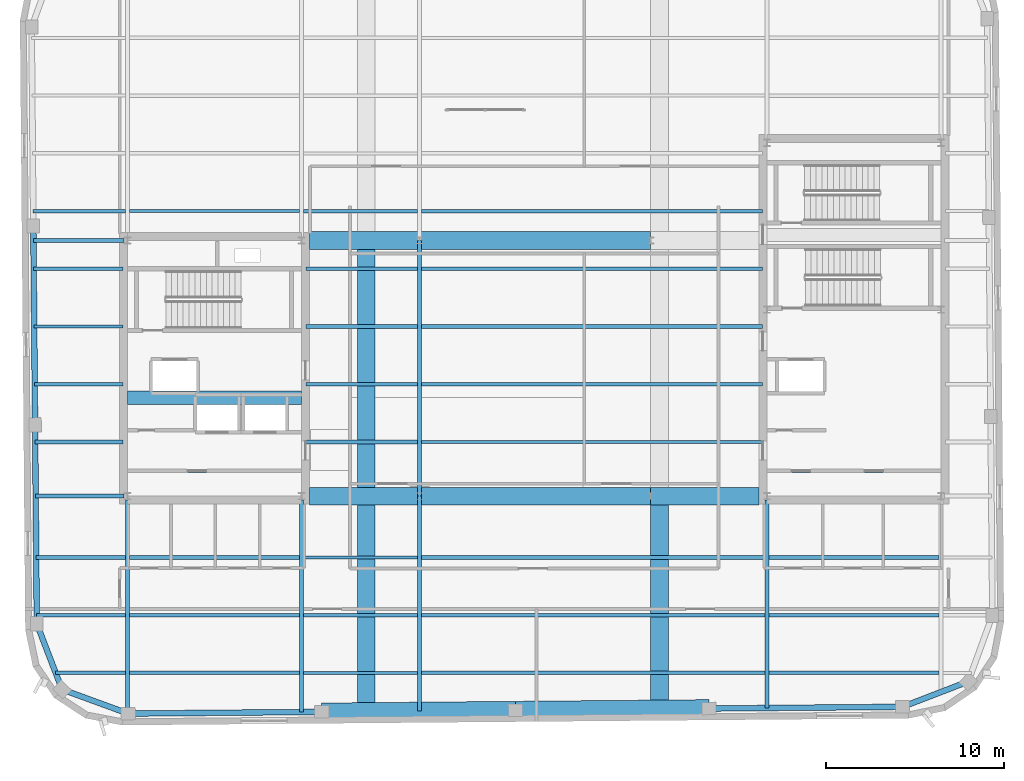
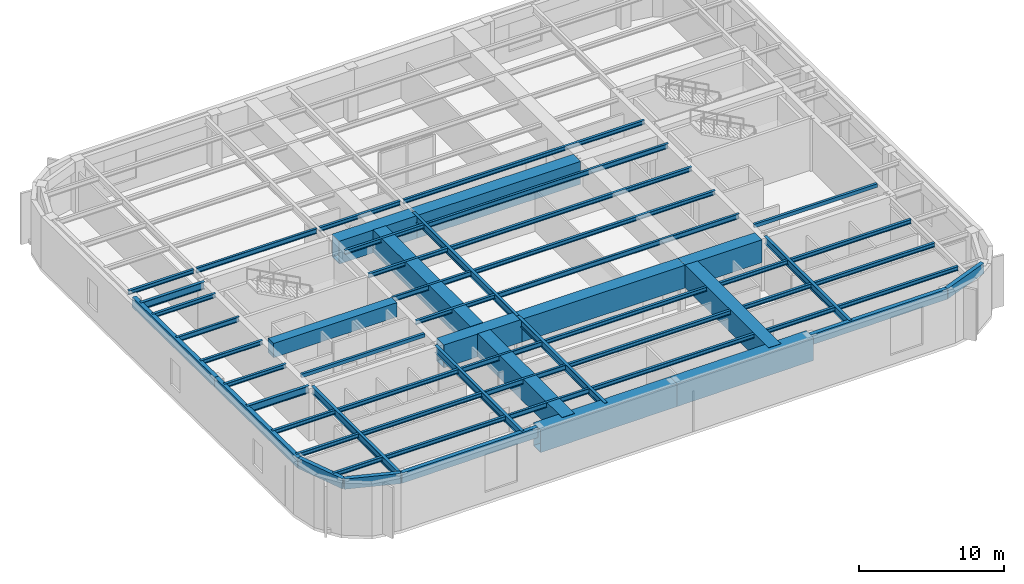
# One storey, part 4 of 14: 58 beams.
"""IFC4 building model written with IfcOpenShell, lengths in metres."""

from ifc_helpers import new_model, si_unit, direction, frame, origin, origin_2d, place, context, subcontext, project, spatial, rectangle, hollow_rectangle, i_section, extrude, material, material_profile, profile_set, type_object, element, save


model = new_model("IFC4")

# Units and contexts
model_context = context("Model", 3, precision=1e-05, world=origin(), true_north=direction((0.0, 1.0)))
body_context = subcontext(model_context, "Body", "Model", "MODEL_VIEW")
ifc_project = project(units=[si_unit("LENGTHUNIT", "METRE"), si_unit("AREAUNIT", "SQUARE_METRE"), si_unit("VOLUMEUNIT", "CUBIC_METRE"), si_unit("PLANEANGLEUNIT", "RADIAN"), si_unit("MASSUNIT", "GRAM", prefix="KILO")], contexts=[model_context])

# Site, building, storey
site_placement = place(None, origin())
site = spatial("IfcSite", under=ifc_project, at=site_placement, CompositionType="ELEMENT")
building_placement = place(site_placement, origin())
building = spatial("IfcBuilding", under=site, at=building_placement, Name="Kolvaren Arena Tower", CompositionType="ELEMENT")
storey_placement = place(building_placement, frame((0.0, 0.0, 317.199951171875)))
storey = spatial("IfcBuildingStorey", under=building, at=storey_placement, Name="L78", CompositionType="ELEMENT", Elevation=317.199951171875)

# Beams
ifc_material_1 = material(Name="Steel CSA G40.21 350W", Category="steel")
ifc_material_profile_1 = material_profile(ifc_material_1, i_section(OverallWidth=0.180908203125, OverallDepth=0.4169921875, WebThickness=0.010986328125, FlangeThickness=0.018310546875, FilletRadius=0.011962890625, at=origin_2d()), Name="W410x85")
ifc_profile_set_1 = profile_set([ifc_material_profile_1], Name="Steel CSA G40.21 350W")
beam_type_1 = type_object("IfcBeamType", Name="BEAM-F3", PredefinedType="BEAM", material=ifc_profile_set_1)
for number, where, z_axis, x_axis, name in (
    (1, (24.464111328125, 9.5, 4.171630859375), (1.0, 0.0, 0.0), (0.0, 1.0, 0.0), "Composite Floor Beam (L78)"),
    (2, (24.464111328125, 12.75, 4.171630859375), (1.0, 0.0, 0.0), (0.0, 1.0, 0.0), "Composite Floor Beam (L78)"),
    (3, (24.464111328125, 16.0, 4.171630859375), (1.0, 0.0, 0.0), (0.0, 1.0, 0.0), "Composite Floor Beam (L78)"),
):
    element("IfcBeam", number, at=place(storey_placement, frame(where, z_axis=z_axis, x_axis=x_axis)), inside=storey, type_object=beam_type_1, Name=name, PredefinedType="BEAM", context=body_context, shape_type="SweptSolid", body=[
        extrude(i_section(OverallWidth=0.180908203125, OverallDepth=0.4169921875, WebThickness=0.010986328125, FlangeThickness=0.018310546875, FilletRadius=0.011962890625, at=origin_2d()), origin(), (0.0, 0.0, 1.0), 6.421875),
    ])
beam_1_placement = place(storey_placement, frame((31.114013671875, 22.5, 4.171630859375), z_axis=(1.0, 0.0, 0.0), x_axis=(0.0, 1.0, 0.0)))
element("IfcBeam", 4, at=beam_1_placement, inside=storey, type_object=beam_type_1, Name="Composite Floor Beam (L78)", PredefinedType="BEAM", context=body_context, shape_type="SweptSolid", body=[
    extrude(i_section(OverallWidth=0.180908203125, OverallDepth=0.4169921875, WebThickness=0.010986328125, FlangeThickness=0.018310546875, FilletRadius=0.011962890625, at=origin_2d()), origin(), (0.0, 0.0, 1.0), 19.19091796875),
])
beam_2_placement = place(storey_placement, frame((24.594970703125, 25.75, 4.171630859375), z_axis=(1.0, 0.0, 0.0), x_axis=(0.0, 1.0, 0.0)))
element("IfcBeam", 5, at=beam_2_placement, inside=storey, type_object=beam_type_1, Name="Composite Floor Beam (L78)", PredefinedType="BEAM", context=body_context, shape_type="SweptSolid", body=[
    extrude(i_section(OverallWidth=0.180908203125, OverallDepth=0.4169921875, WebThickness=0.010986328125, FlangeThickness=0.018310546875, FilletRadius=0.011962890625, at=origin_2d()), origin(), (0.0, 0.0, 1.0), 6.291015625),
])
beam_3_placement = place(storey_placement, frame((9.301513671875, 29.0, 4.171630859375), z_axis=(1.0, 0.0, 0.0), x_axis=(0.0, 1.0, 0.0)))
element("IfcBeam", 6, at=beam_3_placement, inside=storey, type_object=beam_type_1, Name="Composite Floor Beam (L78)", PredefinedType="BEAM", context=body_context, shape_type="SweptSolid", body=[
    extrude(i_section(OverallWidth=0.180908203125, OverallDepth=0.4169921875, WebThickness=0.010986328125, FlangeThickness=0.018310546875, FilletRadius=0.011962890625, at=origin_2d()), origin(), (0.0, 0.0, 1.0), 5.00341796875),
])
beam_4_placement = place(storey_placement, frame((31.114013671875, 32.25, 4.171630859375), z_axis=(1.0, 0.0, 0.0), x_axis=(0.0, 1.0, 0.0)))
element("IfcBeam", 7, at=beam_4_placement, inside=storey, type_object=beam_type_1, Name="Composite Floor Beam (L78)", PredefinedType="BEAM", context=body_context, shape_type="SweptSolid", body=[
    extrude(i_section(OverallWidth=0.180908203125, OverallDepth=0.4169921875, WebThickness=0.010986328125, FlangeThickness=0.018310546875, FilletRadius=0.011962890625, at=origin_2d()), origin(), (0.0, 0.0, 1.0), 19.19091796875),
])
beam_5_placement = place(storey_placement, frame((14.6640625, 35.5, 4.171630859375), z_axis=(1.0, 0.0, 0.0), x_axis=(0.0, 1.0, 0.0)))
element("IfcBeam", 8, at=beam_5_placement, inside=storey, type_object=beam_type_1, Name="Composite Floor Beam (L78)", PredefinedType="BEAM", context=body_context, shape_type="SweptSolid", body=[
    extrude(i_section(OverallWidth=0.180908203125, OverallDepth=0.4169921875, WebThickness=0.010986328125, FlangeThickness=0.018310546875, FilletRadius=0.011962890625, at=origin_2d()), origin(), (0.0, 0.0, 1.0), 9.572021484375),
])
ifc_material_2 = material(Name="Concrete 60 MPa", Category="concrete")
ifc_material_profile_2 = material_profile(ifc_material_2, rectangle(XDim=0.75, YDim=1.199951171875, at=origin_2d()), Name="RC-750x1200")
ifc_profile_set_2 = profile_set([ifc_material_profile_2], Name="Concrete 60 MPa")
beam_type_2 = type_object("IfcBeamType", Name="CB-CORE-2", PredefinedType="BEAM", material=ifc_profile_set_2)
beam_6_placement = place(storey_placement, frame((14.550048828125, 25.0, 4.050048828125), z_axis=(1.0, 0.0, 0.0), x_axis=(0.0, 1.0, 0.0)))
element("IfcBeam", 9, at=beam_6_placement, inside=storey, type_object=beam_type_2, Name="West Core Coupling Beam (L78)", PredefinedType="BEAM", context=body_context, shape_type="SweptSolid", body=[
    extrude(rectangle(XDim=0.75, YDim=1.199951171875, at=origin_2d()), origin(), (0.0, 0.0, 1.0), 9.800048828125),
])
ifc_material_profile_3 = material_profile(ifc_material_1, i_section(OverallWidth=0.22802734375, OverallDepth=0.615966796875, WebThickness=0.013916015625, FlangeThickness=0.02490234375, FilletRadius=0.014892578125, at=origin_2d()), Name="W610x174")
ifc_profile_set_3 = profile_set([ifc_material_profile_3], Name="Steel CSA G40.21 350W")
beam_type_3 = type_object("IfcBeamType", Name="GIRD-T3", PredefinedType="BEAM", material=ifc_profile_set_3)
beam_7_placement = place(storey_placement, frame((9.385009765625, 19.449951171875, 4.072021484375), z_axis=(1.0, 0.0, 0.0), x_axis=(0.0, 1.0, 0.0)))
element("IfcBeam", 10, at=beam_7_placement, inside=storey, type_object=beam_type_3, Name="Primary Floor Girder (L78)", PredefinedType="BEAM", context=body_context, shape_type="SweptSolid", body=[
    extrude(i_section(OverallWidth=0.22802734375, OverallDepth=0.615966796875, WebThickness=0.013916015625, FlangeThickness=0.02490234375, FilletRadius=0.014892578125, at=origin_2d()), origin(), (0.0, 0.0, 1.0), 4.9599609375),
])
beam_8_placement = place(storey_placement, frame((9.25927734375, 33.85009765625, 4.072021484375), z_axis=(1.0, 0.0, 0.0), x_axis=(0.0, 1.0, 0.0)))
element("IfcBeam", 11, at=beam_8_placement, inside=storey, type_object=beam_type_3, Name="Primary Floor Girder (L78)", PredefinedType="BEAM", context=body_context, shape_type="SweptSolid", body=[
    extrude(i_section(OverallWidth=0.22802734375, OverallDepth=0.615966796875, WebThickness=0.013916015625, FlangeThickness=0.02490234375, FilletRadius=0.014892578125, at=origin_2d()), origin(), (0.0, 0.0, 1.0), 5.085693359375),
])
beam_9_placement = place(storey_placement, frame((14.550048828125, 7.225830078125, 4.072021484375), z_axis=(0.0, 1.0, 0.0), x_axis=(-1.0, 0.0, 0.0)))
element("IfcBeam", 12, at=beam_9_placement, inside=storey, type_object=beam_type_3, Name="Primary Floor Girder (L78)", PredefinedType="BEAM", context=body_context, shape_type="SweptSolid", body=[
    extrude(i_section(OverallWidth=0.22802734375, OverallDepth=0.615966796875, WebThickness=0.013916015625, FlangeThickness=0.02490234375, FilletRadius=0.014892578125, at=origin_2d()), origin(), (0.0, 0.0, 1.0), 12.019287109375),
])
beam_10_placement = place(storey_placement, frame((24.35009765625, 7.295654296875, 4.072021484375), z_axis=(0.0, 1.0, 0.0), x_axis=(-1.0, 0.0, 0.0)))
element("IfcBeam", 13, at=beam_10_placement, inside=storey, type_object=beam_type_3, Name="Primary Floor Girder (L78)", PredefinedType="BEAM", context=body_context, shape_type="SweptSolid", body=[
    extrude(i_section(OverallWidth=0.22802734375, OverallDepth=0.615966796875, WebThickness=0.013916015625, FlangeThickness=0.02490234375, FilletRadius=0.014892578125, at=origin_2d()), origin(), (0.0, 0.0, 1.0), 11.949462890625),
])
beam_11_placement = place(storey_placement, frame((31.0, 7.353759765625, 4.072021484375), z_axis=(0.0, 1.0, 0.0), x_axis=(-1.0, 0.0, 0.0)))
element("IfcBeam", 14, at=beam_11_placement, inside=storey, type_object=beam_type_3, Name="Primary Floor Girder (L78)", PredefinedType="BEAM", context=body_context, shape_type="SweptSolid", body=[
    extrude(i_section(OverallWidth=0.22802734375, OverallDepth=0.615966796875, WebThickness=0.013916015625, FlangeThickness=0.02490234375, FilletRadius=0.014892578125, at=origin_2d()), origin(), (0.0, 0.0, 1.0), 12.09619140625),
])
beam_12_placement = place(storey_placement, frame((31.0, 19.449951171875, 4.072021484375), z_axis=(0.0, 1.0, 0.0), x_axis=(-1.0, 0.0, 0.0)))
element("IfcBeam", 15, at=beam_12_placement, inside=storey, type_object=beam_type_3, Name="Primary Floor Girder (L78)", PredefinedType="BEAM", context=body_context, shape_type="SweptSolid", body=[
    extrude(i_section(OverallWidth=0.22802734375, OverallDepth=0.615966796875, WebThickness=0.013916015625, FlangeThickness=0.02490234375, FilletRadius=0.014892578125, at=origin_2d()), origin(), (0.0, 0.0, 1.0), 14.400146484375),
])
beam_13_placement = place(storey_placement, frame((50.550048828125, 7.5244140625, 4.072021484375), z_axis=(0.0, 1.0, 0.0), x_axis=(-1.0, 0.0, 0.0)))
element("IfcBeam", 16, at=beam_13_placement, inside=storey, type_object=beam_type_3, Name="Primary Floor Girder (L78)", PredefinedType="BEAM", context=body_context, shape_type="SweptSolid", body=[
    extrude(i_section(OverallWidth=0.22802734375, OverallDepth=0.615966796875, WebThickness=0.013916015625, FlangeThickness=0.02490234375, FilletRadius=0.014892578125, at=origin_2d()), origin(), (0.0, 0.0, 1.0), 11.720703125),
])
ifc_material_profile_4 = material_profile(ifc_material_1, i_section(OverallWidth=0.202880859375, OverallDepth=0.346923828125, WebThickness=0.0078125, FlangeThickness=0.013427734375, FilletRadius=0.010986328125, at=origin_2d()), Name="W360x64")
ifc_profile_set_4 = profile_set([ifc_material_profile_4], Name="Steel CSA G40.21 350W")
beam_type_4 = type_object("IfcBeamType", Name="JOIST-01", PredefinedType="JOIST", material=ifc_profile_set_4)
beam_14_placement = place(storey_placement, frame((10.5126953125, 9.5, 4.20654296875), z_axis=(1.0, 0.0, 0.0), x_axis=(0.0, 1.0, 0.0)))
element("IfcBeam", 17, at=beam_14_placement, inside=storey, type_object=beam_type_4, Name="Composite Floor Joist (L78)", PredefinedType="JOIST", context=body_context, shape_type="SweptSolid", body=[
    extrude(i_section(OverallWidth=0.202880859375, OverallDepth=0.346923828125, WebThickness=0.0078125, FlangeThickness=0.013427734375, FilletRadius=0.010986328125, at=origin_2d()), origin(), (0.0, 0.0, 1.0), 3.92333984375),
])
beam_15_placement = place(storey_placement, frame((14.6640625, 9.5, 4.20654296875), z_axis=(1.0, 0.0, 0.0), x_axis=(0.0, 1.0, 0.0)))
element("IfcBeam", 18, at=beam_15_placement, inside=storey, type_object=beam_type_4, Name="Composite Floor Joist (L78)", PredefinedType="JOIST", context=body_context, shape_type="SweptSolid", body=[
    extrude(i_section(OverallWidth=0.202880859375, OverallDepth=0.346923828125, WebThickness=0.0078125, FlangeThickness=0.013427734375, FilletRadius=0.010986328125, at=origin_2d()), origin(), (0.0, 0.0, 1.0), 9.572021484375),
])
beam_16_placement = place(storey_placement, frame((31.114013671875, 9.5, 4.20654296875), z_axis=(1.0, 0.0, 0.0), x_axis=(0.0, 1.0, 0.0)))
element("IfcBeam", 19, at=beam_16_placement, inside=storey, type_object=beam_type_4, Name="Composite Floor Joist (L78)", PredefinedType="JOIST", context=body_context, shape_type="SweptSolid", body=[
    extrude(i_section(OverallWidth=0.202880859375, OverallDepth=0.346923828125, WebThickness=0.0078125, FlangeThickness=0.013427734375, FilletRadius=0.010986328125, at=origin_2d()), origin(), (0.0, 0.0, 1.0), 19.322021484375),
])
beam_17_placement = place(storey_placement, frame((50.6640625, 9.5, 4.20654296875), z_axis=(1.0, 0.0, 0.0), x_axis=(0.0, 1.0, 0.0)))
element("IfcBeam", 20, at=beam_17_placement, inside=storey, type_object=beam_type_4, Name="Composite Floor Joist (L78)", PredefinedType="JOIST", context=body_context, shape_type="SweptSolid", body=[
    extrude(i_section(OverallWidth=0.202880859375, OverallDepth=0.346923828125, WebThickness=0.0078125, FlangeThickness=0.013427734375, FilletRadius=0.010986328125, at=origin_2d()), origin(), (0.0, 0.0, 1.0), 9.572021484375),
])
beam_18_placement = place(storey_placement, frame((9.443359375, 12.75, 4.20654296875), z_axis=(1.0, 0.0, 0.0), x_axis=(0.0, 1.0, 0.0)))
element("IfcBeam", 21, at=beam_18_placement, inside=storey, type_object=beam_type_4, Name="Composite Floor Joist (L78)", PredefinedType="JOIST", context=body_context, shape_type="SweptSolid", body=[
    extrude(i_section(OverallWidth=0.202880859375, OverallDepth=0.346923828125, WebThickness=0.0078125, FlangeThickness=0.013427734375, FilletRadius=0.010986328125, at=origin_2d()), origin(), (0.0, 0.0, 1.0), 4.99267578125),
])
beam_19_placement = place(storey_placement, frame((14.6640625, 12.75, 4.20654296875), z_axis=(1.0, 0.0, 0.0), x_axis=(0.0, 1.0, 0.0)))
element("IfcBeam", 22, at=beam_19_placement, inside=storey, type_object=beam_type_4, Name="Composite Floor Joist (L78)", PredefinedType="JOIST", context=body_context, shape_type="SweptSolid", body=[
    extrude(i_section(OverallWidth=0.202880859375, OverallDepth=0.346923828125, WebThickness=0.0078125, FlangeThickness=0.013427734375, FilletRadius=0.010986328125, at=origin_2d()), origin(), (0.0, 0.0, 1.0), 9.572021484375),
])
beam_20_placement = place(storey_placement, frame((31.114013671875, 12.75, 4.20654296875), z_axis=(1.0, 0.0, 0.0), x_axis=(0.0, 1.0, 0.0)))
element("IfcBeam", 23, at=beam_20_placement, inside=storey, type_object=beam_type_4, Name="Composite Floor Joist (L78)", PredefinedType="JOIST", context=body_context, shape_type="SweptSolid", body=[
    extrude(i_section(OverallWidth=0.202880859375, OverallDepth=0.346923828125, WebThickness=0.0078125, FlangeThickness=0.013427734375, FilletRadius=0.010986328125, at=origin_2d()), origin(), (0.0, 0.0, 1.0), 19.322021484375),
])
beam_21_placement = place(storey_placement, frame((50.6640625, 12.75, 4.20654296875), z_axis=(1.0, 0.0, 0.0), x_axis=(0.0, 1.0, 0.0)))
element("IfcBeam", 24, at=beam_21_placement, inside=storey, type_object=beam_type_4, Name="Composite Floor Joist (L78)", PredefinedType="JOIST", context=body_context, shape_type="SweptSolid", body=[
    extrude(i_section(OverallWidth=0.202880859375, OverallDepth=0.346923828125, WebThickness=0.0078125, FlangeThickness=0.013427734375, FilletRadius=0.010986328125, at=origin_2d()), origin(), (0.0, 0.0, 1.0), 9.572021484375),
])
beam_22_placement = place(storey_placement, frame((9.4150390625, 16.0, 4.20654296875), z_axis=(1.0, 0.0, 0.0), x_axis=(0.0, 1.0, 0.0)))
element("IfcBeam", 25, at=beam_22_placement, inside=storey, type_object=beam_type_4, Name="Composite Floor Joist (L78)", PredefinedType="JOIST", context=body_context, shape_type="SweptSolid", body=[
    extrude(i_section(OverallWidth=0.202880859375, OverallDepth=0.346923828125, WebThickness=0.0078125, FlangeThickness=0.013427734375, FilletRadius=0.010986328125, at=origin_2d()), origin(), (0.0, 0.0, 1.0), 5.02099609375),
])
beam_23_placement = place(storey_placement, frame((14.6640625, 16.0, 4.20654296875), z_axis=(1.0, 0.0, 0.0), x_axis=(0.0, 1.0, 0.0)))
element("IfcBeam", 26, at=beam_23_placement, inside=storey, type_object=beam_type_4, Name="Composite Floor Joist (L78)", PredefinedType="JOIST", context=body_context, shape_type="SweptSolid", body=[
    extrude(i_section(OverallWidth=0.202880859375, OverallDepth=0.346923828125, WebThickness=0.0078125, FlangeThickness=0.013427734375, FilletRadius=0.010986328125, at=origin_2d()), origin(), (0.0, 0.0, 1.0), 9.572021484375),
])
beam_24_placement = place(storey_placement, frame((31.114013671875, 16.0, 4.20654296875), z_axis=(1.0, 0.0, 0.0), x_axis=(0.0, 1.0, 0.0)))
element("IfcBeam", 27, at=beam_24_placement, inside=storey, type_object=beam_type_4, Name="Composite Floor Joist (L78)", PredefinedType="JOIST", context=body_context, shape_type="SweptSolid", body=[
    extrude(i_section(OverallWidth=0.202880859375, OverallDepth=0.346923828125, WebThickness=0.0078125, FlangeThickness=0.013427734375, FilletRadius=0.010986328125, at=origin_2d()), origin(), (0.0, 0.0, 1.0), 19.322021484375),
])
beam_25_placement = place(storey_placement, frame((50.6640625, 16.0, 4.20654296875), z_axis=(1.0, 0.0, 0.0), x_axis=(0.0, 1.0, 0.0)))
element("IfcBeam", 28, at=beam_25_placement, inside=storey, type_object=beam_type_4, Name="Composite Floor Joist (L78)", PredefinedType="JOIST", context=body_context, shape_type="SweptSolid", body=[
    extrude(i_section(OverallWidth=0.202880859375, OverallDepth=0.346923828125, WebThickness=0.0078125, FlangeThickness=0.013427734375, FilletRadius=0.010986328125, at=origin_2d()), origin(), (0.0, 0.0, 1.0), 9.572021484375),
])
beam_26_placement = place(storey_placement, frame((9.3583984375, 22.5, 4.20654296875), z_axis=(1.0, 0.0, 0.0), x_axis=(0.0, 1.0, 0.0)))
element("IfcBeam", 29, at=beam_26_placement, inside=storey, type_object=beam_type_4, Name="Composite Floor Joist (L78)", PredefinedType="JOIST", context=body_context, shape_type="SweptSolid", body=[
    extrude(i_section(OverallWidth=0.202880859375, OverallDepth=0.346923828125, WebThickness=0.0078125, FlangeThickness=0.013427734375, FilletRadius=0.010986328125, at=origin_2d()), origin(), (0.0, 0.0, 1.0), 4.946533203125),
])
beam_27_placement = place(storey_placement, frame((24.594970703125, 22.5, 4.20654296875), z_axis=(1.0, 0.0, 0.0), x_axis=(0.0, 1.0, 0.0)))
element("IfcBeam", 30, at=beam_27_placement, inside=storey, type_object=beam_type_4, Name="Composite Floor Joist (L78)", PredefinedType="JOIST", context=body_context, shape_type="SweptSolid", body=[
    extrude(i_section(OverallWidth=0.202880859375, OverallDepth=0.346923828125, WebThickness=0.0078125, FlangeThickness=0.013427734375, FilletRadius=0.010986328125, at=origin_2d()), origin(), (0.0, 0.0, 1.0), 6.291015625),
])
beam_28_placement = place(storey_placement, frame((9.330078125, 25.75, 4.20654296875), z_axis=(1.0, 0.0, 0.0), x_axis=(0.0, 1.0, 0.0)))
element("IfcBeam", 31, at=beam_28_placement, inside=storey, type_object=beam_type_4, Name="Composite Floor Joist (L78)", PredefinedType="JOIST", context=body_context, shape_type="SweptSolid", body=[
    extrude(i_section(OverallWidth=0.202880859375, OverallDepth=0.346923828125, WebThickness=0.0078125, FlangeThickness=0.013427734375, FilletRadius=0.010986328125, at=origin_2d()), origin(), (0.0, 0.0, 1.0), 4.974853515625),
])
beam_29_placement = place(storey_placement, frame((31.114013671875, 25.75, 4.20654296875), z_axis=(1.0, 0.0, 0.0), x_axis=(0.0, 1.0, 0.0)))
element("IfcBeam", 32, at=beam_29_placement, inside=storey, type_object=beam_type_4, Name="Composite Floor Joist (L78)", PredefinedType="JOIST", context=body_context, shape_type="SweptSolid", body=[
    extrude(i_section(OverallWidth=0.202880859375, OverallDepth=0.346923828125, WebThickness=0.0078125, FlangeThickness=0.013427734375, FilletRadius=0.010986328125, at=origin_2d()), origin(), (0.0, 0.0, 1.0), 19.19091796875),
])
beam_30_placement = place(storey_placement, frame((24.594970703125, 29.0, 4.20654296875), z_axis=(1.0, 0.0, 0.0), x_axis=(0.0, 1.0, 0.0)))
element("IfcBeam", 33, at=beam_30_placement, inside=storey, type_object=beam_type_4, Name="Composite Floor Joist (L78)", PredefinedType="JOIST", context=body_context, shape_type="SweptSolid", body=[
    extrude(i_section(OverallWidth=0.202880859375, OverallDepth=0.346923828125, WebThickness=0.0078125, FlangeThickness=0.013427734375, FilletRadius=0.010986328125, at=origin_2d()), origin(), (0.0, 0.0, 1.0), 6.291015625),
])
beam_31_placement = place(storey_placement, frame((31.114013671875, 29.0, 4.20654296875), z_axis=(1.0, 0.0, 0.0), x_axis=(0.0, 1.0, 0.0)))
element("IfcBeam", 34, at=beam_31_placement, inside=storey, type_object=beam_type_4, Name="Composite Floor Joist (L78)", PredefinedType="JOIST", context=body_context, shape_type="SweptSolid", body=[
    extrude(i_section(OverallWidth=0.202880859375, OverallDepth=0.346923828125, WebThickness=0.0078125, FlangeThickness=0.013427734375, FilletRadius=0.010986328125, at=origin_2d()), origin(), (0.0, 0.0, 1.0), 19.19091796875),
])
beam_32_placement = place(storey_placement, frame((9.273193359375, 32.25, 4.20654296875), z_axis=(1.0, 0.0, 0.0), x_axis=(0.0, 1.0, 0.0)))
element("IfcBeam", 35, at=beam_32_placement, inside=storey, type_object=beam_type_4, Name="Composite Floor Joist (L78)", PredefinedType="JOIST", context=body_context, shape_type="SweptSolid", body=[
    extrude(i_section(OverallWidth=0.202880859375, OverallDepth=0.346923828125, WebThickness=0.0078125, FlangeThickness=0.013427734375, FilletRadius=0.010986328125, at=origin_2d()), origin(), (0.0, 0.0, 1.0), 5.03173828125),
])
beam_33_placement = place(storey_placement, frame((24.594970703125, 32.25, 4.20654296875), z_axis=(1.0, 0.0, 0.0), x_axis=(0.0, 1.0, 0.0)))
element("IfcBeam", 36, at=beam_33_placement, inside=storey, type_object=beam_type_4, Name="Composite Floor Joist (L78)", PredefinedType="JOIST", context=body_context, shape_type="SweptSolid", body=[
    extrude(i_section(OverallWidth=0.202880859375, OverallDepth=0.346923828125, WebThickness=0.0078125, FlangeThickness=0.013427734375, FilletRadius=0.010986328125, at=origin_2d()), origin(), (0.0, 0.0, 1.0), 6.291015625),
])
beam_34_placement = place(storey_placement, frame((9.244873046875, 35.5, 4.20654296875), z_axis=(1.0, 0.0, 0.0), x_axis=(0.0, 1.0, 0.0)))
element("IfcBeam", 37, at=beam_34_placement, inside=storey, type_object=beam_type_4, Name="Composite Floor Joist (L78)", PredefinedType="JOIST", context=body_context, shape_type="SweptSolid", body=[
    extrude(i_section(OverallWidth=0.202880859375, OverallDepth=0.346923828125, WebThickness=0.0078125, FlangeThickness=0.013427734375, FilletRadius=0.010986328125, at=origin_2d()), origin(), (0.0, 0.0, 1.0), 5.191162109375),
])
beam_35_placement = place(storey_placement, frame((24.464111328125, 35.5, 4.20654296875), z_axis=(1.0, 0.0, 0.0), x_axis=(0.0, 1.0, 0.0)))
element("IfcBeam", 38, at=beam_35_placement, inside=storey, type_object=beam_type_4, Name="Composite Floor Joist (L78)", PredefinedType="JOIST", context=body_context, shape_type="SweptSolid", body=[
    extrude(i_section(OverallWidth=0.202880859375, OverallDepth=0.346923828125, WebThickness=0.0078125, FlangeThickness=0.013427734375, FilletRadius=0.010986328125, at=origin_2d()), origin(), (0.0, 0.0, 1.0), 6.421875),
])
beam_36_placement = place(storey_placement, frame((31.114013671875, 35.5, 4.20654296875), z_axis=(1.0, 0.0, 0.0), x_axis=(0.0, 1.0, 0.0)))
element("IfcBeam", 39, at=beam_36_placement, inside=storey, type_object=beam_type_4, Name="Composite Floor Joist (L78)", PredefinedType="JOIST", context=body_context, shape_type="SweptSolid", body=[
    extrude(i_section(OverallWidth=0.202880859375, OverallDepth=0.346923828125, WebThickness=0.0078125, FlangeThickness=0.013427734375, FilletRadius=0.010986328125, at=origin_2d()), origin(), (0.0, 0.0, 1.0), 19.19091796875),
])
ifc_material_profile_5 = material_profile(ifc_material_1, hollow_rectangle(XDim=0.199951171875, YDim=0.300048828125, WallThickness=0.011962890625, at=origin_2d()), Name="HSS 300x200x12")
ifc_profile_set_5 = profile_set([ifc_material_profile_5], Name="Steel CSA G40.21 350W")
beam_type_5 = type_object("IfcBeamType", Name="LINT-01", PredefinedType="LINTEL", material=ifc_profile_set_5)
for number, where, z_axis, x_axis, name in (
    (40, (14.550048828125, 20.8798828125, 4.22998046875), (1.0, 0.0, 0.0), (0.0, 1.0, 0.0), "West Lift Lobby Portal Lintel (L78)"),
    (41, (50.550048828125, 20.8798828125, 4.22998046875), (1.0, 0.0, 0.0), (0.0, 1.0, 0.0), "East Lift Lobby Portal Lintel (L78)"),
):
    element("IfcBeam", number, at=place(storey_placement, frame(where, z_axis=z_axis, x_axis=x_axis)), inside=storey, type_object=beam_type_5, Name=name, PredefinedType="LINTEL", context=body_context, shape_type="SweptSolid", body=[
        extrude(hollow_rectangle(XDim=0.199951171875, YDim=0.300048828125, WallThickness=0.011962890625, at=origin_2d()), origin(), (0.0, 0.0, 1.0), 9.800048828125),
    ])
ifc_material_3 = material(Name="Steel CSA G40.21 350WT", Category="steel")
ifc_material_profile_6 = material_profile(ifc_material_3, hollow_rectangle(XDim=0.320068359375, YDim=0.860107421875, WallThickness=0.01806640625, at=origin_2d()), Name="HSS 860x320x18")
ifc_profile_set_6 = profile_set([ifc_material_profile_6], Name="Steel CSA G40.21 350WT")
beam_type_6 = type_object("IfcBeamType", Name="SPAND-02", PredefinedType="SPANDREL", material=ifc_profile_set_6)
beam_37_placement = place(storey_placement, frame((14.591796875, 7.210693359375, 3.949951171875), z_axis=(0.999962042393, 0.008712851036, 0.0), x_axis=(-0.008712851036, 0.999962042393, 0.0)))
element("IfcBeam", 42, at=beam_37_placement, inside=storey, type_object=beam_type_6, Name="Perimeter Spandrel Beam (L78)", PredefinedType="SPANDREL", context=body_context, shape_type="SweptSolid", body=[
    extrude(hollow_rectangle(XDim=0.320068359375, YDim=0.860107421875, WallThickness=0.01806640625, at=origin_2d()), origin(), (0.0, 0.0, 1.0), 10.900146484375),
])
beam_38_placement = place(storey_placement, frame((47.290771484375, 7.49609375, 3.949951171875), z_axis=(0.999962040693, 0.008713046184, 0.0), x_axis=(-0.008713046184, 0.999962040693, 0.0)))
element("IfcBeam", 43, at=beam_38_placement, inside=storey, type_object=beam_type_6, Name="Perimeter Spandrel Beam (L78)", PredefinedType="SPANDREL", context=body_context, shape_type="SweptSolid", body=[
    extrude(hollow_rectangle(XDim=0.320068359375, YDim=0.860107421875, WallThickness=0.01806640625, at=origin_2d()), origin(), (0.0, 0.0, 1.0), 10.89990234375),
])
beam_39_placement = place(storey_placement, frame((58.190185546875, 7.591064453125, 3.949951171875), z_axis=(0.933189846698, 0.359383792094, 0.0), x_axis=(-0.359383792094, 0.933189846698, 0.0)))
element("IfcBeam", 44, at=beam_39_placement, inside=storey, type_object=beam_type_6, Name="Perimeter Spandrel Beam (L78)", PredefinedType="SPANDREL", context=body_context, shape_type="SweptSolid", body=[
    extrude(hollow_rectangle(XDim=0.320068359375, YDim=0.860107421875, WallThickness=0.01806640625, at=origin_2d()), origin(), (0.0, 0.0, 1.0), 3.961181640625),
])
beam_40_placement = place(storey_placement, frame((9.252197265625, 34.6650390625, 3.949951171875), z_axis=(0.008719394723, -0.999961985355, 0.0), x_axis=(0.999961985355, 0.008719394723, 0.0)))
element("IfcBeam", 45, at=beam_40_placement, inside=storey, type_object=beam_type_6, Name="Perimeter Spandrel Beam (L78)", PredefinedType="SPANDREL", context=body_context, shape_type="SweptSolid", body=[
    extrude(hollow_rectangle(XDim=0.320068359375, YDim=0.860107421875, WallThickness=0.01806640625, at=origin_2d()), origin(), (0.0, 0.0, 1.0), 11.199951171875),
])
beam_41_placement = place(storey_placement, frame((9.349853515625, 23.465576171875, 3.949951171875), z_axis=(0.008719204665, -0.999961987013, 0.0), x_axis=(0.999961987013, 0.008719204665, 0.0)))
element("IfcBeam", 46, at=beam_41_placement, inside=storey, type_object=beam_type_6, Name="Perimeter Spandrel Beam (L78)", PredefinedType="SPANDREL", context=body_context, shape_type="SweptSolid", body=[
    extrude(hollow_rectangle(XDim=0.320068359375, YDim=0.860107421875, WallThickness=0.01806640625, at=origin_2d()), origin(), (0.0, 0.0, 1.0), 11.2001953125),
])
beam_42_placement = place(storey_placement, frame((9.447509765625, 12.265869140625, 3.949951171875), z_axis=(0.359383792094, -0.933189846698, 0.0), x_axis=(0.933189846698, 0.359383792094, 0.0)))
element("IfcBeam", 47, at=beam_42_placement, inside=storey, type_object=beam_type_6, Name="Perimeter Spandrel Beam (L78)", PredefinedType="SPANDREL", context=body_context, shape_type="SweptSolid", body=[
    extrude(hollow_rectangle(XDim=0.320068359375, YDim=0.860107421875, WallThickness=0.01806640625, at=origin_2d()), origin(), (0.0, 0.0, 1.0), 3.961181640625),
])
beam_43_placement = place(storey_placement, frame((10.87109375, 8.5693359375, 3.949951171875), z_axis=(0.939333679924, -0.343004719736, 0.0), x_axis=(0.343004719736, 0.939333679924, 0.0)))
element("IfcBeam", 48, at=beam_43_placement, inside=storey, type_object=beam_type_6, Name="Perimeter Spandrel Beam (L78)", PredefinedType="SPANDREL", context=body_context, shape_type="SweptSolid", body=[
    extrude(hollow_rectangle(XDim=0.320068359375, YDim=0.860107421875, WallThickness=0.01806640625, at=origin_2d()), origin(), (0.0, 0.0, 1.0), 3.9609375),
])
ifc_material_profile_7 = material_profile(ifc_material_3, hollow_rectangle(XDim=1.0, YDim=1.919921875, WallThickness=0.044921875, at=origin_2d()), Name="BOX 1000x1920x45")
ifc_profile_set_7 = profile_set([ifc_material_profile_7], Name="Steel CSA G40.21 350WT")
beam_type_7 = type_object("IfcBeamType", Name="TG-MEGA", PredefinedType="USERDEFINED", material=ifc_profile_set_7)
for number, where, z_axis, x_axis, name in (
    (49, (25.491455078125, 7.3056640625, 3.400146484375), (0.999961846999, 0.008735247404, 0.0), (-0.008735247404, 0.999961846999, 0.0), "Wind-Portal Perimeter Transfer Girder 02 (L78)"),
    (50, (36.39111328125, 7.40087890625, 3.400146484375), (0.999961846999, 0.008735247404, 0.0), (-0.008735247404, 0.999961846999, 0.0), "Wind-Portal Perimeter Transfer Girder 03 (L78)"),
):
    element("IfcBeam", number, at=place(storey_placement, frame(where, z_axis=z_axis, x_axis=x_axis)), inside=storey, type_object=beam_type_7, Name=name, ObjectType="TRANSFER GIRDER", PredefinedType="USERDEFINED", context=body_context, shape_type="SweptSolid", body=[
        extrude(hollow_rectangle(XDim=1.0, YDim=1.919921875, WallThickness=0.044921875, at=origin_2d()), origin(), (0.0, 0.0, 1.0), 10.900146484375),
    ])
beam_44_placement = place(storey_placement, frame((24.800048828125, 19.449951171875, 3.400146484375), z_axis=(1.0, 0.0, 0.0), x_axis=(0.0, 1.0, 0.0)))
element("IfcBeam", 51, at=beam_44_placement, inside=storey, type_object=beam_type_7, Name="Wind-Portal Primary Transfer Girder (L78)", ObjectType="TRANSFER GIRDER", PredefinedType="USERDEFINED", context=body_context, shape_type="SweptSolid", body=[
    extrude(hollow_rectangle(XDim=1.0, YDim=1.919921875, WallThickness=0.044921875, at=origin_2d()), origin(), (0.0, 0.0, 1.0), 6.199951171875),
])
beam_45_placement = place(storey_placement, frame((31.0, 19.449951171875, 3.400146484375), z_axis=(1.0, 0.0, 0.0), x_axis=(0.0, 1.0, 0.0)))
element("IfcBeam", 52, at=beam_45_placement, inside=storey, type_object=beam_type_7, Name="Wind-Portal Primary Transfer Girder (L78)", ObjectType="TRANSFER GIRDER", PredefinedType="USERDEFINED", context=body_context, shape_type="SweptSolid", body=[
    extrude(hollow_rectangle(XDim=1.0, YDim=1.919921875, WallThickness=0.044921875, at=origin_2d()), origin(), (0.0, 0.0, 1.0), 13.0),
])
beam_46_placement = place(storey_placement, frame((44.0, 19.449951171875, 3.400146484375), z_axis=(1.0, 0.0, 0.0), x_axis=(0.0, 1.0, 0.0)))
element("IfcBeam", 53, at=beam_46_placement, inside=storey, type_object=beam_type_7, Name="Wind-Portal Primary Transfer Girder (L78)", ObjectType="TRANSFER GIRDER", PredefinedType="USERDEFINED", context=body_context, shape_type="SweptSolid", body=[
    extrude(hollow_rectangle(XDim=1.0, YDim=1.919921875, WallThickness=0.044921875, at=origin_2d()), origin(), (0.0, 0.0, 1.0), 6.10009765625),
])
beam_47_placement = place(storey_placement, frame((24.800048828125, 33.85009765625, 3.400146484375), z_axis=(1.0, 0.0, 0.0), x_axis=(0.0, 1.0, 0.0)))
element("IfcBeam", 54, at=beam_47_placement, inside=storey, type_object=beam_type_7, Name="Wind-Portal Primary Transfer Girder (L78)", ObjectType="TRANSFER GIRDER", PredefinedType="USERDEFINED", context=body_context, shape_type="SweptSolid", body=[
    extrude(hollow_rectangle(XDim=1.0, YDim=1.919921875, WallThickness=0.044921875, at=origin_2d()), origin(), (0.0, 0.0, 1.0), 6.199951171875),
])
beam_48_placement = place(storey_placement, frame((31.0, 33.85009765625, 3.400146484375), z_axis=(1.0, 0.0, 0.0), x_axis=(0.0, 1.0, 0.0)))
element("IfcBeam", 55, at=beam_48_placement, inside=storey, type_object=beam_type_7, Name="Wind-Portal Primary Transfer Girder (L78)", ObjectType="TRANSFER GIRDER", PredefinedType="USERDEFINED", context=body_context, shape_type="SweptSolid", body=[
    extrude(hollow_rectangle(XDim=1.0, YDim=1.919921875, WallThickness=0.044921875, at=origin_2d()), origin(), (0.0, 0.0, 1.0), 13.0),
])
beam_49_placement = place(storey_placement, frame((28.0, 7.32763671875, 3.420166015625), z_axis=(0.0, 1.0, 0.0), x_axis=(-1.0, 0.0, 0.0)))
element("IfcBeam", 56, at=beam_49_placement, inside=storey, type_object=beam_type_7, Name="Wind-Portal Throat Support Transfer Girder (W1)", ObjectType="TRANSFER GIRDER", PredefinedType="USERDEFINED", context=body_context, shape_type="SweptSolid", body=[
    extrude(hollow_rectangle(XDim=1.0, YDim=1.919921875, WallThickness=0.044921875, at=origin_2d()), origin(), (0.0, 0.0, 1.0), 11.63232421875),
])
beam_50_placement = place(storey_placement, frame((28.0, 19.93994140625, 3.420166015625), z_axis=(0.0, 1.0, 0.0), x_axis=(-1.0, 0.0, 0.0)))
element("IfcBeam", 57, at=beam_50_placement, inside=storey, type_object=beam_type_7, Name="Wind-Portal Throat Support Transfer Girder (W2)", ObjectType="TRANSFER GIRDER", PredefinedType="USERDEFINED", context=body_context, shape_type="SweptSolid", body=[
    extrude(hollow_rectangle(XDim=1.0, YDim=1.919921875, WallThickness=0.044921875, at=origin_2d()), origin(), (0.0, 0.0, 1.0), 13.420166015625),
])
beam_51_placement = place(storey_placement, frame((44.5, 7.4716796875, 3.420166015625), z_axis=(0.0, 1.0, 0.0), x_axis=(-1.0, 0.0, 0.0)))
element("IfcBeam", 58, at=beam_51_placement, inside=storey, type_object=beam_type_7, Name="Wind-Portal Throat Support Transfer Girder (E1)", ObjectType="TRANSFER GIRDER", PredefinedType="USERDEFINED", context=body_context, shape_type="SweptSolid", body=[
    extrude(hollow_rectangle(XDim=1.0, YDim=1.919921875, WallThickness=0.044921875, at=origin_2d()), origin(), (0.0, 0.0, 1.0), 11.48828125),
])

save(model, "model.ifc")
